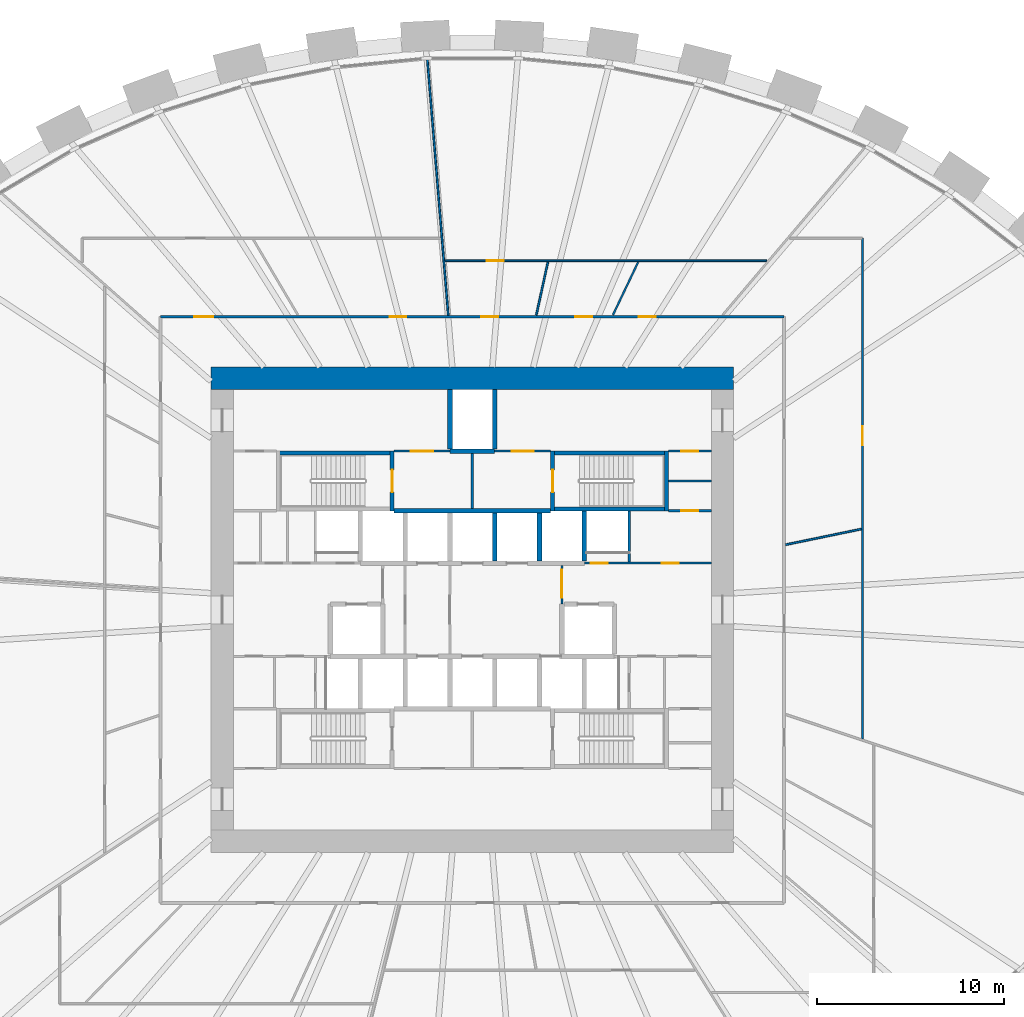
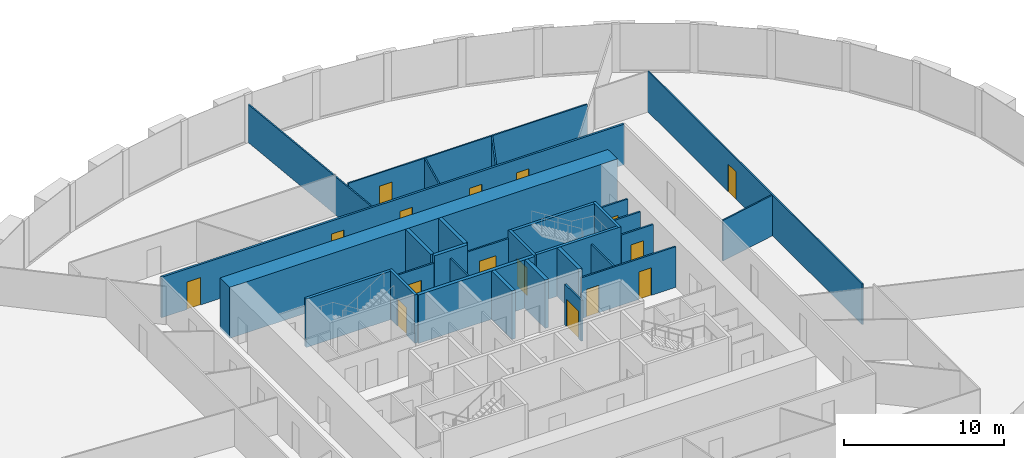
# One storey, part 9 of 11: 30 walls, 16 doors, 16 openings.
"""IFC4 building model written with IfcOpenShell, lengths in metres."""

from ifc_helpers import new_model, si_unit, direction, frame, frame_2d, origin, place, context, subcontext, project, spatial, rectangle, extrude, source, transform, mapped, material, layer, layer_set, type_object, element, fill, save


model = new_model("IFC4")

# Units and contexts
model_context = context("Model", 3, precision=1e-05, world=origin(), true_north=direction((0.0, 1.0)))
body_context = subcontext(model_context, "Body", "Model", "MODEL_VIEW")
ifc_project = project(units=[si_unit("LENGTHUNIT", "METRE"), si_unit("AREAUNIT", "SQUARE_METRE"), si_unit("VOLUMEUNIT", "CUBIC_METRE"), si_unit("PLANEANGLEUNIT", "RADIAN"), si_unit("MASSUNIT", "GRAM", prefix="KILO")], contexts=[model_context])

# Site, building, storey
site_placement = place(None, origin())
site = spatial("IfcSite", under=ifc_project, at=site_placement, CompositionType="ELEMENT")
building_placement = place(site_placement, origin())
building = spatial("IfcBuilding", under=site, at=building_placement, Name="Embergate Tower", CompositionType="ELEMENT")
storey_placement = place(building_placement, frame((0.0, 0.0, 41.89990234375)))
storey = spatial("IfcBuildingStorey", under=building, at=storey_placement, Name="L06", CompositionType="ELEMENT", Elevation=41.89990234375)

# Wall
ifc_material_1 = material(Name="Concrete C80", Category="concrete")
ifc_layer_1 = layer(ifc_material_1, 1.199951171875)
ifc_layer_set_1 = layer_set([ifc_layer_1], Name="Concrete C80")
wall_type_1 = type_object("IfcWallType", Name="Core outer wall C80 1200", PredefinedType="SHEAR", material=ifc_layer_set_1)
shared_shape_1 = source(origin(), body_context, "Body", "SweptSolid", [
    extrude(rectangle(XDim=28.0, YDim=1.199951171875, at=frame_2d((14.0, 0.0))), origin(), (0.0, 0.0, 1.0), 3.900146484375),
])
wall_1_placement = place(storey_placement, frame((-14.0, 12.39990234375, -0.199951171875), z_axis=(0.0, 0.0, 1.0), x_axis=(1.0, 0.0, 0.0)))
element("IfcWall", 1, at=wall_1_placement, inside=storey, type_object=wall_type_1, Name="CW-L06-N", PredefinedType="SHEAR", context=body_context, shape_type="MappedRepresentation", body=[
    mapped(shared_shape_1, transform((0.0, 0.0, 0.0))),
])

# Wall, openings, doors
ifc_material_2 = material(Name="Corridor wall dry-lined 150")
ifc_layer_2 = layer(ifc_material_2, 0.14990234375)
ifc_layer_set_2 = layer_set([ifc_layer_2], Name="Corridor wall dry-lined 150")
wall_type_2 = type_object("IfcWallType", Name="Corridor wall dry-lined 150", PredefinedType="PARTITIONING", material=ifc_layer_set_2)
shared_shape_2 = source(origin(), body_context, "Body", "SweptSolid", [
    extrude(rectangle(XDim=33.39990234375, YDim=0.14990234375, at=frame_2d((16.699951171875, 0.0))), origin(), (0.0, 0.0, 1.0), 3.10009765625),
])
wall_2_placement = place(storey_placement, frame((-16.699951171875, 15.699951171875, 0.0), z_axis=(0.0, 0.0, 1.0), x_axis=(1.0, 0.0, 0.0)))
wall_2 = element("IfcWall", 2, at=wall_2_placement, inside=storey, type_object=wall_type_2, Name="IP-2 wall", PredefinedType="PARTITIONING", context=body_context, shape_type="MappedRepresentation", body=[
    mapped(shared_shape_2, transform((0.0, 0.0, 0.0))),
])
shared_shape_3 = source(origin(), body_context, "Body", "SweptSolid", [
    extrude(rectangle(XDim=0.89990234375, YDim=2.10009765625, at=frame_2d((0.449951171875, 1.050048828125))), frame((0.0, 0.0849609375, 0.0), z_axis=(0.0, -1.0, 0.0), x_axis=(1.0, 0.0, 0.0)), (0.0, 0.0, 1.0), 0.169921875),
])
opening_1_placement = place(wall_2_placement, frame((25.616943359375, 0.0, 0.0)))
opening_1 = element("IfcOpeningElement", 3, at=opening_1_placement, cuts=wall_2, Name="Opening IF-1c", PredefinedType="OPENING", context=body_context, shape_type="MappedRepresentation", body=[
    mapped(shared_shape_3, transform((0.0, 0.0, 0.0))),
])
opening_2_placement = place(wall_2_placement, frame((22.214111328125, 0.0, 0.0)))
opening_2 = element("IfcOpeningElement", 4, at=opening_2_placement, cuts=wall_2, Name="Opening IF-1c", PredefinedType="OPENING", context=body_context, shape_type="MappedRepresentation", body=[
    mapped(shared_shape_3, transform((0.0, 0.0, 0.0))),
])
opening_3_placement = place(wall_2_placement, frame((17.18603515625, 0.0, 0.0)))
opening_3 = element("IfcOpeningElement", 5, at=opening_3_placement, cuts=wall_2, Name="Opening IF-1c", PredefinedType="OPENING", context=body_context, shape_type="MappedRepresentation", body=[
    mapped(shared_shape_3, transform((0.0, 0.0, 0.0))),
])
opening_4_placement = place(wall_2_placement, frame((12.26611328125, 0.0, 0.0)))
opening_4 = element("IfcOpeningElement", 6, at=opening_4_placement, cuts=wall_2, Name="Opening IF-1c", PredefinedType="OPENING", context=body_context, shape_type="MappedRepresentation", body=[
    mapped(shared_shape_3, transform((0.0, 0.0, 0.0))),
])
shared_shape_4 = source(origin(), body_context, "Body", "SweptSolid", [
    extrude(rectangle(XDim=1.0, YDim=2.10009765625, at=frame_2d((0.5, 1.050048828125))), frame((0.0, 0.0849609375, 0.0), z_axis=(0.0, -1.0, 0.0), x_axis=(1.0, 0.0, 0.0)), (0.0, 0.0, 1.0), 0.169921875),
])
opening_5_placement = place(wall_2_placement, frame((1.81103515625, 0.0, 0.0)))
opening_5 = element("IfcOpeningElement", 7, at=opening_5_placement, cuts=wall_2, Name="Opening ID-2", PredefinedType="OPENING", context=body_context, shape_type="MappedRepresentation", body=[
    mapped(shared_shape_4, transform((0.0, 0.0, 0.0))),
])
ifc_material_3 = material(Name="Escape fire door 900")
door_type_1 = type_object("IfcDoorType", Name="Escape fire door 900", OperationType="SINGLE_SWING_LEFT", PredefinedType="DOOR", material=ifc_material_3)
shared_shape_5 = source(origin(), body_context, "Body", "SweptSolid", [
    extrude(rectangle(XDim=0.89990234375, YDim=2.10009765625, at=frame_2d((0.449951171875, 1.050048828125))), frame((0.0, 0.02490234375, 0.0), z_axis=(0.0, -1.0, 0.0), x_axis=(1.0, 0.0, 0.0)), (0.0, 0.0, 1.0), 0.050048828125),
])
door_1_placement = place(opening_1_placement, origin())
door_1 = element("IfcDoor", 8, at=door_1_placement, inside=storey, type_object=door_type_1, Name="IF-1 door", OperationType="SINGLE_SWING_RIGHT", OverallHeight=2.10009765625, OverallWidth=0.89990234375, PredefinedType="DOOR", context=body_context, shape_type="MappedRepresentation", body=[
    mapped(shared_shape_5, transform((0.0, 0.0, 0.0))),
])
fill(opening_1, door_1)
door_2_placement = place(opening_2_placement, origin())
door_2 = element("IfcDoor", 9, at=door_2_placement, inside=storey, type_object=door_type_1, Name="IF-1 door", OperationType="SINGLE_SWING_RIGHT", OverallHeight=2.10009765625, OverallWidth=0.89990234375, PredefinedType="DOOR", context=body_context, shape_type="MappedRepresentation", body=[
    mapped(shared_shape_5, transform((0.0, 0.0, 0.0))),
])
fill(opening_2, door_2)
door_3_placement = place(opening_3_placement, origin())
door_3 = element("IfcDoor", 10, at=door_3_placement, inside=storey, type_object=door_type_1, Name="IF-1 door", OperationType="SINGLE_SWING_LEFT", OverallHeight=2.10009765625, OverallWidth=0.89990234375, PredefinedType="DOOR", context=body_context, shape_type="MappedRepresentation", body=[
    mapped(shared_shape_5, transform((0.0, 0.0, 0.0))),
])
fill(opening_3, door_3)
door_4_placement = place(opening_4_placement, origin())
door_4 = element("IfcDoor", 11, at=door_4_placement, inside=storey, type_object=door_type_1, Name="IF-1 door", OperationType="SINGLE_SWING_LEFT", OverallHeight=2.10009765625, OverallWidth=0.89990234375, PredefinedType="DOOR", context=body_context, shape_type="MappedRepresentation", body=[
    mapped(shared_shape_5, transform((0.0, 0.0, 0.0))),
])
fill(opening_4, door_4)
ifc_material_4 = material(Name="Interior door 1000")
door_type_2 = type_object("IfcDoorType", Name="Interior door 1000", OperationType="SINGLE_SWING_LEFT", PredefinedType="DOOR", material=ifc_material_4)
shared_shape_6 = source(origin(), body_context, "Body", "SweptSolid", [
    extrude(rectangle(XDim=1.0, YDim=2.10009765625, at=frame_2d((0.5, 1.050048828125))), frame((0.0, 0.02490234375, 0.0), z_axis=(0.0, -1.0, 0.0), x_axis=(1.0, 0.0, 0.0)), (0.0, 0.0, 1.0), 0.050048828125),
])
door_5_placement = place(opening_5_placement, origin())
door_5 = element("IfcDoor", 12, at=door_5_placement, inside=storey, type_object=door_type_2, Name="ID-2 door", OperationType="SINGLE_SWING_LEFT", OverallHeight=2.10009765625, OverallWidth=1.0, PredefinedType="DOOR", context=body_context, shape_type="MappedRepresentation", body=[
    mapped(shared_shape_6, transform((0.0, 0.0, 0.0))),
])
fill(opening_5, door_5)

# Wall
ifc_material_5 = material(Name="Partition dry-lined 100 wet")
ifc_layer_3 = layer(ifc_material_5, 0.10009765625)
ifc_layer_set_3 = layer_set([ifc_layer_3], Name="Partition dry-lined 100 wet")
wall_type_3 = type_object("IfcWallType", Name="Partition dry-lined 100 wet", PredefinedType="PLUMBINGWALL", material=ifc_layer_set_3)
shared_shape_7 = source(origin(), body_context, "Body", "SweptSolid", [
    extrude(rectangle(XDim=3.137451171875, YDim=0.10009765625, at=frame_2d((1.56884765625, 0.0))), origin(), (0.0, 0.0, 1.0), 3.10009765625),
])
wall_3_placement = place(storey_placement, frame((7.533935546875, 15.7958984375, 0.0), z_axis=(0.0, 0.0, 1.0), x_axis=(0.430326219074, 0.902673443266, 0.0)))
element("IfcWall", 13, at=wall_3_placement, inside=storey, type_object=wall_type_3, Name="IP-1 wall", PredefinedType="PLUMBINGWALL", context=body_context, shape_type="MappedRepresentation", body=[
    mapped(shared_shape_7, transform((0.0, 0.0, 0.0))),
])

# Wall, opening, door
shared_shape_8 = source(origin(), body_context, "Body", "SweptSolid", [
    extrude(rectangle(XDim=17.2470703125, YDim=0.10009765625, at=frame_2d((8.62353515625, 0.0))), origin(), (0.0, 0.0, 1.0), 3.10009765625),
])
wall_4_placement = place(storey_placement, frame((-1.47802734375, 18.699951171875, 0.0), z_axis=(0.0, 0.0, 1.0), x_axis=(1.0, 0.0, 0.0)))
wall_4 = element("IfcWall", 14, at=wall_4_placement, inside=storey, type_object=wall_type_3, Name="IP-1 wall", PredefinedType="PLUMBINGWALL", context=body_context, shape_type="MappedRepresentation", body=[
    mapped(shared_shape_8, transform((0.0, 0.0, 0.0))),
])
shared_shape_9 = source(origin(), body_context, "Body", "SweptSolid", [
    extrude(rectangle(XDim=0.89990234375, YDim=2.10009765625, at=frame_2d((0.449951171875, 1.050048828125))), frame((0.0, 0.06005859375, 0.0), z_axis=(0.0, -1.0, 0.0), x_axis=(1.0, 0.0, 0.0)), (0.0, 0.0, 1.0), 0.1201171875),
])
opening_6_placement = place(wall_4_placement, frame((2.25390625, 0.0, 0.0)))
opening_6 = element("IfcOpeningElement", 15, at=opening_6_placement, cuts=wall_4, Name="Opening ID-1", PredefinedType="OPENING", context=body_context, shape_type="MappedRepresentation", body=[
    mapped(shared_shape_9, transform((0.0, 0.0, 0.0))),
])
ifc_material_6 = material(Name="Interior door 900")
door_type_3 = type_object("IfcDoorType", Name="Interior door 900", OperationType="SINGLE_SWING_LEFT", PredefinedType="DOOR", material=ifc_material_6)
door_6_placement = place(opening_6_placement, origin())
door_6 = element("IfcDoor", 16, at=door_6_placement, inside=storey, type_object=door_type_3, Name="ID-1 door", OperationType="SINGLE_SWING_LEFT", OverallHeight=2.10009765625, OverallWidth=0.89990234375, PredefinedType="DOOR", context=body_context, shape_type="MappedRepresentation", body=[
    mapped(shared_shape_5, transform((0.0, 0.0, 0.0))),
])
fill(opening_6, door_6)

# Wall
shared_shape_10 = source(origin(), body_context, "Body", "SweptSolid", [
    extrude(rectangle(XDim=2.919677734375, YDim=0.10009765625, at=frame_2d((1.4599609375, 0.0))), origin(), (0.0, 0.0, 1.0), 3.10009765625),
])
wall_5_placement = place(storey_placement, frame((3.428955078125, 15.785888671875, 0.0), z_axis=(0.0, 0.0, 1.0), x_axis=(0.212394928292, 0.977183910242, 0.0)))
element("IfcWall", 17, at=wall_5_placement, inside=storey, type_object=wall_type_3, Name="IP-1 wall", PredefinedType="PLUMBINGWALL", context=body_context, shape_type="MappedRepresentation", body=[
    mapped(shared_shape_10, transform((0.0, 0.0, 0.0))),
])

# Wall, openings, doors
ifc_material_7 = material(Name="Core partition blockwork 120")
ifc_layer_4 = layer(ifc_material_7, 0.1201171875)
ifc_layer_set_4 = layer_set([ifc_layer_4], Name="Core partition blockwork 120")
wall_type_4 = type_object("IfcWallType", Name="Core partition blockwork 120", PredefinedType="PARTITIONING", material=ifc_layer_set_4)
shared_shape_11 = source(origin(), body_context, "Body", "SweptSolid", [
    extrude(rectangle(XDim=6.800048828125, YDim=0.1201171875, at=frame_2d((3.39990234375, 0.0))), origin(), (0.0, 0.0, 1.0), 3.10009765625),
])
wall_6_placement = place(storey_placement, frame((6.0, 2.5, 0.0), z_axis=(0.0, 0.0, 1.0), x_axis=(1.0, 0.0, 0.0)))
wall_6 = element("IfcWall", 18, at=wall_6_placement, inside=storey, type_object=wall_type_4, Name="IP-3 wall", PredefinedType="PARTITIONING", context=body_context, shape_type="MappedRepresentation", body=[
    mapped(shared_shape_11, transform((0.0, 0.0, 0.0))),
])
shared_shape_12 = source(origin(), body_context, "Body", "SweptSolid", [
    extrude(rectangle(XDim=0.89990234375, YDim=2.10009765625, at=frame_2d((0.449951171875, 1.050048828125))), frame((0.0, 0.070068359375, 0.0), z_axis=(0.0, -1.0, 0.0), x_axis=(1.0, 0.0, 0.0)), (0.0, 0.0, 1.0), 0.14013671875),
])
opening_7_placement = place(wall_6_placement, frame((0.35009765625, 0.0, 0.0)))
opening_7 = element("IfcOpeningElement", 19, at=opening_7_placement, cuts=wall_6, Name="Opening ID-1", PredefinedType="OPENING", context=body_context, shape_type="MappedRepresentation", body=[
    mapped(shared_shape_12, transform((0.0, 0.0, 0.0))),
])
opening_8_placement = place(wall_6_placement, frame((4.14990234375, 0.0, 0.0)))
opening_8 = element("IfcOpeningElement", 20, at=opening_8_placement, cuts=wall_6, Name="Opening ID-1", PredefinedType="OPENING", context=body_context, shape_type="MappedRepresentation", body=[
    mapped(shared_shape_12, transform((0.0, 0.0, 0.0))),
])
door_7_placement = place(opening_7_placement, origin())
door_7 = element("IfcDoor", 21, at=door_7_placement, inside=storey, type_object=door_type_3, Name="ID-1 door", OperationType="SINGLE_SWING_RIGHT", OverallHeight=2.10009765625, OverallWidth=0.89990234375, PredefinedType="DOOR", context=body_context, shape_type="MappedRepresentation", body=[
    mapped(shared_shape_5, transform((0.0, 0.0, 0.0))),
])
fill(opening_7, door_7)
door_8_placement = place(opening_8_placement, origin())
door_8 = element("IfcDoor", 22, at=door_8_placement, inside=storey, type_object=door_type_3, Name="ID-1 door", OperationType="SINGLE_SWING_LEFT", OverallHeight=2.10009765625, OverallWidth=0.89990234375, PredefinedType="DOOR", context=body_context, shape_type="MappedRepresentation", body=[
    mapped(shared_shape_5, transform((0.0, 0.0, 0.0))),
])
fill(opening_8, door_8)

# Wall
shared_shape_13 = source(origin(), body_context, "Body", "SweptSolid", [
    extrude(rectangle(XDim=2.739990234375, YDim=0.1201171875, at=frame_2d((1.3701171875, 0.0))), origin(), (0.0, 0.0, 1.0), 3.10009765625),
])
wall_7_placement = place(storey_placement, frame((8.39990234375, 2.56005859375, 0.0), z_axis=(0.0, 0.0, 1.0), x_axis=(0.0, 1.0, 0.0)))
element("IfcWall", 23, at=wall_7_placement, inside=storey, type_object=wall_type_4, Name="IP-3 wall", PredefinedType="PARTITIONING", context=body_context, shape_type="MappedRepresentation", body=[
    mapped(shared_shape_13, transform((0.0, 0.0, 0.0))),
])

# Wall, opening, door
shared_shape_14 = source(origin(), body_context, "Body", "SweptSolid", [
    extrude(rectangle(XDim=2.074951171875, YDim=0.1201171875, at=frame_2d((1.03759765625, 0.0))), origin(), (0.0, 0.0, 1.0), 3.10009765625),
])
wall_8_placement = place(storey_placement, frame((4.800048828125, 0.300048828125, 0.0), z_axis=(0.0, 0.0, 1.0), x_axis=(0.0, 1.0, 0.0)))
wall_8 = element("IfcWall", 24, at=wall_8_placement, inside=storey, type_object=wall_type_4, Name="IP-3 wall", PredefinedType="PARTITIONING", context=body_context, shape_type="MappedRepresentation", body=[
    mapped(shared_shape_14, transform((0.0, 0.0, 0.0))),
])
shared_shape_15 = source(origin(), body_context, "Body", "SweptSolid", [
    extrude(rectangle(XDim=1.5, YDim=2.10009765625, at=frame_2d((0.75, 1.050048828125))), frame((0.0, 0.070068359375, 0.0), z_axis=(0.0, -1.0, 0.0), x_axis=(1.0, 0.0, 0.0)), (0.0, 0.0, 1.0), 0.14013671875),
])
opening_9_placement = place(wall_8_placement, frame((0.35009765625, 0.0, 0.0)))
opening_9 = element("IfcOpeningElement", 25, at=opening_9_placement, cuts=wall_8, Name="Opening IF-3", PredefinedType="OPENING", context=body_context, shape_type="MappedRepresentation", body=[
    mapped(shared_shape_15, transform((0.0, 0.0, 0.0))),
])
ifc_material_8 = material(Name="Lobby fire door pair 1500")
door_type_4 = type_object("IfcDoorType", Name="Lobby fire door pair 1500", OperationType="DOUBLE_DOOR_SINGLE_SWING", PredefinedType="DOOR", material=ifc_material_8)
shared_shape_16 = source(origin(), body_context, "Body", "SweptSolid", [
    extrude(rectangle(XDim=1.5, YDim=2.10009765625, at=frame_2d((0.75, 1.050048828125))), frame((0.0, 0.02490234375, 0.0), z_axis=(0.0, -1.0, 0.0), x_axis=(1.0, 0.0, 0.0)), (0.0, 0.0, 1.0), 0.050048828125),
])
door_9_placement = place(opening_9_placement, origin())
door_9 = element("IfcDoor", 26, at=door_9_placement, inside=storey, type_object=door_type_4, Name="IF-3 door", OperationType="DOUBLE_DOOR_SINGLE_SWING", OverallHeight=2.10009765625, OverallWidth=1.5, PredefinedType="DOOR", context=body_context, shape_type="MappedRepresentation", body=[
    mapped(shared_shape_16, transform((0.0, 0.0, 0.0))),
])
fill(opening_9, door_9)

# Wall
shared_shape_17 = source(origin(), body_context, "Body", "SweptSolid", [
    extrude(rectangle(XDim=2.949951171875, YDim=0.1201171875, at=frame_2d((1.47509765625, 0.0))), origin(), (0.0, 0.0, 1.0), 3.10009765625),
])
wall_9_placement = place(storey_placement, frame((0.0, 5.425048828125, 0.0), z_axis=(0.0, 0.0, 1.0), x_axis=(0.0, 1.0, 0.0)))
element("IfcWall", 27, at=wall_9_placement, inside=storey, type_object=wall_type_4, Name="IP-3 wall", PredefinedType="PARTITIONING", context=body_context, shape_type="MappedRepresentation", body=[
    mapped(shared_shape_17, transform((0.0, 0.0, 0.0))),
])

# Wall, opening, door
shared_shape_18 = source(origin(), body_context, "Body", "SweptSolid", [
    extrude(rectangle(XDim=3.0, YDim=0.1201171875, at=frame_2d((1.5, 0.0))), origin(), (0.0, 0.0, 1.0), 3.10009765625),
])
wall_10_placement = place(storey_placement, frame((-1.199951171875, 8.5, 0.0), z_axis=(0.0, 0.0, 1.0), x_axis=(-1.0, 0.0, 0.0)))
wall_10 = element("IfcWall", 28, at=wall_10_placement, inside=storey, type_object=wall_type_4, Name="IP-3 wall", PredefinedType="PARTITIONING", context=body_context, shape_type="MappedRepresentation", body=[
    mapped(shared_shape_18, transform((0.0, 0.0, 0.0))),
])
shared_shape_19 = source(origin(), body_context, "Body", "SweptSolid", [
    extrude(rectangle(XDim=1.199951171875, YDim=2.10009765625, at=frame_2d((0.60009765625, 1.050048828125))), frame((0.0, 0.070068359375, 0.0), z_axis=(0.0, -1.0, 0.0), x_axis=(1.0, 0.0, 0.0)), (0.0, 0.0, 1.0), 0.14013671875),
])
opening_10_placement = place(wall_10_placement, frame((0.89990234375, 0.0, 0.0)))
opening_10 = element("IfcOpeningElement", 29, at=opening_10_placement, cuts=wall_10, Name="Opening IF-3f", PredefinedType="OPENING", context=body_context, shape_type="MappedRepresentation", body=[
    mapped(shared_shape_19, transform((0.0, 0.0, 0.0))),
])
ifc_material_9 = material(Name="Lobby fire door pair 1200")
door_type_5 = type_object("IfcDoorType", Name="Lobby fire door pair 1200", OperationType="DOUBLE_DOOR_SINGLE_SWING", PredefinedType="DOOR", material=ifc_material_9)
shared_shape_20 = source(origin(), body_context, "Body", "SweptSolid", [
    extrude(rectangle(XDim=1.199951171875, YDim=2.10009765625, at=frame_2d((0.60009765625, 1.050048828125))), frame((0.0, 0.02490234375, 0.0), z_axis=(0.0, -1.0, 0.0), x_axis=(1.0, 0.0, 0.0)), (0.0, 0.0, 1.0), 0.050048828125),
])
door_10_placement = place(opening_10_placement, origin())
door_10 = element("IfcDoor", 30, at=door_10_placement, inside=storey, type_object=door_type_5, Name="IF-3 door", OperationType="DOUBLE_DOOR_SINGLE_SWING", OverallHeight=2.10009765625, OverallWidth=1.199951171875, PredefinedType="DOOR", context=body_context, shape_type="MappedRepresentation", body=[
    mapped(shared_shape_20, transform((0.0, 0.0, 0.0))),
])
fill(opening_10, door_10)

wall_11_placement = place(storey_placement, frame((4.199951171875, 8.5, 0.0), z_axis=(0.0, 0.0, 1.0), x_axis=(-1.0, 0.0, 0.0)))
wall_11 = element("IfcWall", 31, at=wall_11_placement, inside=storey, type_object=wall_type_4, Name="IP-3 wall", PredefinedType="PARTITIONING", context=body_context, shape_type="MappedRepresentation", body=[
    mapped(shared_shape_18, transform((0.0, 0.0, 0.0))),
])
opening_11_placement = place(wall_11_placement, frame((0.89990234375, 0.0, 0.0)))
opening_11 = element("IfcOpeningElement", 32, at=opening_11_placement, cuts=wall_11, Name="Opening IF-3f", PredefinedType="OPENING", context=body_context, shape_type="MappedRepresentation", body=[
    mapped(shared_shape_19, transform((0.0, 0.0, 0.0))),
])
door_11_placement = place(opening_11_placement, origin())
door_11 = element("IfcDoor", 33, at=door_11_placement, inside=storey, type_object=door_type_5, Name="IF-3 door", OperationType="DOUBLE_DOOR_SINGLE_SWING", OverallHeight=2.10009765625, OverallWidth=1.199951171875, PredefinedType="DOOR", context=body_context, shape_type="MappedRepresentation", body=[
    mapped(shared_shape_20, transform((0.0, 0.0, 0.0))),
])
fill(opening_11, door_11)

shared_shape_21 = source(origin(), body_context, "Body", "SweptSolid", [
    extrude(rectangle(XDim=2.300048828125, YDim=0.1201171875, at=frame_2d((1.14990234375, 0.0))), origin(), (0.0, 0.0, 1.0), 3.10009765625),
])
wall_12_placement = place(storey_placement, frame((10.5, 8.5, 0.0), z_axis=(0.0, 0.0, 1.0), x_axis=(1.0, 0.0, 0.0)))
wall_12 = element("IfcWall", 34, at=wall_12_placement, inside=storey, type_object=wall_type_4, Name="IP-3 wall", PredefinedType="PARTITIONING", context=body_context, shape_type="MappedRepresentation", body=[
    mapped(shared_shape_21, transform((0.0, 0.0, 0.0))),
])
opening_12_placement = place(wall_12_placement, frame((0.699951171875, 0.0, 0.0)))
opening_12 = element("IfcOpeningElement", 35, at=opening_12_placement, cuts=wall_12, Name="Opening ID-1", PredefinedType="OPENING", context=body_context, shape_type="MappedRepresentation", body=[
    mapped(shared_shape_12, transform((0.0, 0.0, 0.0))),
])
door_12_placement = place(opening_12_placement, origin())
door_12 = element("IfcDoor", 36, at=door_12_placement, inside=storey, type_object=door_type_3, Name="ID-1 door", OperationType="SINGLE_SWING_RIGHT", OverallHeight=2.10009765625, OverallWidth=0.89990234375, PredefinedType="DOOR", context=body_context, shape_type="MappedRepresentation", body=[
    mapped(shared_shape_5, transform((0.0, 0.0, 0.0))),
])
fill(opening_12, door_12)

wall_13_placement = place(storey_placement, frame((12.800048828125, 5.300048828125, 0.0), z_axis=(0.0, 0.0, 1.0), x_axis=(-1.0, 0.0, 0.0)))
wall_13 = element("IfcWall", 37, at=wall_13_placement, inside=storey, type_object=wall_type_4, Name="IP-3 wall", PredefinedType="PARTITIONING", context=body_context, shape_type="MappedRepresentation", body=[
    mapped(shared_shape_21, transform((0.0, 0.0, 0.0))),
])
opening_13_placement = place(wall_13_placement, frame((0.699951171875, 0.0, 0.0)))
opening_13 = element("IfcOpeningElement", 38, at=opening_13_placement, cuts=wall_13, Name="Opening ID-1", PredefinedType="OPENING", context=body_context, shape_type="MappedRepresentation", body=[
    mapped(shared_shape_12, transform((0.0, 0.0, 0.0))),
])
door_13_placement = place(opening_13_placement, origin())
door_13 = element("IfcDoor", 39, at=door_13_placement, inside=storey, type_object=door_type_3, Name="ID-1 door", OperationType="SINGLE_SWING_LEFT", OverallHeight=2.10009765625, OverallWidth=0.89990234375, PredefinedType="DOOR", context=body_context, shape_type="MappedRepresentation", body=[
    mapped(shared_shape_5, transform((0.0, 0.0, 0.0))),
])
fill(opening_13, door_13)

# Walls
wall_14_placement = place(storey_placement, frame((12.800048828125, 6.89990234375, 0.0), z_axis=(0.0, 0.0, 1.0), x_axis=(-1.0, 0.0, 0.0)))
element("IfcWall", 40, at=wall_14_placement, inside=storey, type_object=wall_type_4, Name="IP-3 wall", PredefinedType="PARTITIONING", context=body_context, shape_type="MappedRepresentation", body=[
    mapped(shared_shape_21, transform((0.0, 0.0, 0.0))),
])
ifc_material_10 = material(Name="Partition dry-lined 100")
ifc_layer_5 = layer(ifc_material_10, 0.10009765625)
ifc_layer_set_5 = layer_set([ifc_layer_5], Name="Partition dry-lined 100")
wall_type_5 = type_object("IfcWallType", Name="Partition dry-lined 100", PredefinedType="PARTITIONING", material=ifc_layer_set_5)
shared_shape_22 = source(origin(), body_context, "Body", "SweptSolid", [
    extrude(rectangle(XDim=4.141357421875, YDim=0.10009765625, at=frame_2d((2.07080078125, 0.0))), origin(), (0.0, 0.0, 1.0), 3.10009765625),
])
wall_15_placement = place(storey_placement, frame((20.840087890625, 4.325927734375, 0.0), z_axis=(0.0, 0.0, 1.0), x_axis=(-0.979173213512, -0.203026643428, 0.0)))
element("IfcWall", 41, at=wall_15_placement, inside=storey, type_object=wall_type_5, Name="IP-1 wall", PredefinedType="PARTITIONING", context=body_context, shape_type="MappedRepresentation", body=[
    mapped(shared_shape_22, transform((0.0, 0.0, 0.0))),
])

# Wall, opening, door
shared_shape_23 = source(origin(), body_context, "Body", "SweptSolid", [
    extrude(rectangle(XDim=26.81396484375, YDim=0.10009765625, at=frame_2d((13.406982421875, 0.0))), origin(), (0.0, 0.0, 1.0), 3.10009765625),
])
wall_16_placement = place(storey_placement, frame((20.89990234375, -6.9140625, 0.0), z_axis=(0.0, 0.0, 1.0), x_axis=(0.0, 1.0, 0.0)))
wall_16 = element("IfcWall", 42, at=wall_16_placement, inside=storey, type_object=wall_type_5, Name="IP-1 wall", PredefinedType="PARTITIONING", context=body_context, shape_type="MappedRepresentation", body=[
    mapped(shared_shape_23, transform((0.0, 0.0, 0.0))),
])
shared_shape_24 = source(origin(), body_context, "Body", "SweptSolid", [
    extrude(rectangle(XDim=1.0, YDim=2.10009765625, at=frame_2d((0.5, 1.050048828125))), frame((0.0, 0.06005859375, 0.0), z_axis=(0.0, -1.0, 0.0), x_axis=(1.0, 0.0, 0.0)), (0.0, 0.0, 1.0), 0.1201171875),
])
opening_14_placement = place(wall_16_placement, frame((15.74072265625, 0.0, 0.0)))
opening_14 = element("IfcOpeningElement", 43, at=opening_14_placement, cuts=wall_16, Name="Opening ID-2", PredefinedType="OPENING", context=body_context, shape_type="MappedRepresentation", body=[
    mapped(shared_shape_24, transform((0.0, 0.0, 0.0))),
])
door_14_placement = place(opening_14_placement, origin())
door_14 = element("IfcDoor", 44, at=door_14_placement, inside=storey, type_object=door_type_2, Name="ID-2 door", OperationType="SINGLE_SWING_LEFT", OverallHeight=2.10009765625, OverallWidth=1.0, PredefinedType="DOOR", context=body_context, shape_type="MappedRepresentation", body=[
    mapped(shared_shape_6, transform((0.0, 0.0, 0.0))),
])
fill(opening_14, door_14)

# Walls
shared_shape_25 = source(origin(), body_context, "Body", "SweptSolid", [
    extrude(rectangle(XDim=13.803955078125, YDim=0.10009765625, at=frame_2d((6.90185546875, 0.0))), origin(), (0.0, 0.0, 1.0), 2.900146484375),
])
wall_17_placement = place(storey_placement, frame((-2.4130859375, 29.532958984375, 0.0), z_axis=(0.0, 0.0, 1.0), x_axis=(0.081427983702, -0.996679227972, 0.0)))
element("IfcWall", 45, at=wall_17_placement, inside=storey, type_object=wall_type_3, Name="IP-1 wall", PredefinedType="PLUMBINGWALL", context=body_context, shape_type="MappedRepresentation", body=[
    mapped(shared_shape_25, transform((0.0, 0.0, 0.0))),
])
ifc_material_11 = material(Name="Concrete C50", Category="concrete")
ifc_layer_6 = layer(ifc_material_11, 0.25)
ifc_layer_set_6 = layer_set([ifc_layer_6], Name="Concrete C50")
wall_type_6 = type_object("IfcWallType", Name="Hoistway wall reinforced concrete 250", PredefinedType="SHEAR", material=ifc_layer_set_6)
shared_shape_26 = source(origin(), body_context, "Body", "SweptSolid", [
    extrude(rectangle(XDim=2.675048828125, YDim=0.25, at=frame_2d((1.33740234375, 0.0))), origin(), (0.0, 0.0, 1.0), 3.7001953125),
])
wall_18_placement = place(storey_placement, frame((6.0, 2.625, 0.0), z_axis=(0.0, 0.0, 1.0), x_axis=(0.0, 1.0, 0.0)))
element("IfcWall", 46, at=wall_18_placement, inside=storey, type_object=wall_type_6, Name="HW-1 wall", PredefinedType="SHEAR", context=body_context, shape_type="MappedRepresentation", body=[
    mapped(shared_shape_26, transform((0.0, 0.0, 0.0))),
])
ifc_layer_7 = layer(ifc_material_11, 0.199951171875)
ifc_layer_set_7 = layer_set([ifc_layer_7], Name="Concrete C50")
wall_type_7 = type_object("IfcWallType", Name="Stair enclosure wall reinforced concrete 250", PredefinedType="SHEAR", material=ifc_layer_set_7)
shared_shape_27 = source(origin(), body_context, "Body", "SweptSolid", [
    extrude(rectangle(XDim=6.300048828125, YDim=0.199951171875, at=frame_2d((3.14990234375, 0.0))), origin(), (0.0, 0.0, 1.0), 3.7001953125),
])
for number, where, z_axis, x_axis, name in (
    (47, (10.5, 5.39990234375, 0.0), (0.0, 0.0, 1.0), (-1.0, 0.0, 0.0), "SE-1 wall"),
    (48, (-4.199951171875, 8.39990234375, 0.0), (0.0, 0.0, 1.0), (-1.0, 0.0, 0.0), "SE-1 wall"),
    (49, (10.5, 8.39990234375, 0.0), (0.0, 0.0, 1.0), (-1.0, 0.0, 0.0), "SE-1 wall"),
):
    element("IfcWall", number, at=place(storey_placement, frame(where, z_axis=z_axis, x_axis=x_axis)), inside=storey, type_object=wall_type_7, Name=name, PredefinedType="SHEAR", context=body_context, shape_type="MappedRepresentation", body=[
        mapped(shared_shape_27, transform((0.0, 0.0, 0.0))),
    ])
shared_shape_28 = source(origin(), body_context, "Body", "SweptSolid", [
    extrude(rectangle(XDim=2.550048828125, YDim=0.25, at=frame_2d((1.27490234375, 0.0))), origin(), (0.0, 0.0, 1.0), 3.7001953125),
])
for number, where, z_axis, x_axis, name in (
    (50, (1.199951171875, 2.625, 0.0), (0.0, 0.0, 1.0), (0.0, 1.0, 0.0), "HW-1 wall"),
    (51, (3.60009765625, 2.625, 0.0), (0.0, 0.0, 1.0), (0.0, 1.0, 0.0), "HW-1 wall"),
):
    element("IfcWall", number, at=place(storey_placement, frame(where, z_axis=z_axis, x_axis=x_axis)), inside=storey, type_object=wall_type_6, Name=name, PredefinedType="SHEAR", context=body_context, shape_type="MappedRepresentation", body=[
        mapped(shared_shape_28, transform((0.0, 0.0, 0.0))),
    ])
shared_shape_29 = source(origin(), body_context, "Body", "SweptSolid", [
    extrude(rectangle(XDim=8.39990234375, YDim=0.25, at=frame_2d((4.199951171875, 0.0))), origin(), (0.0, 0.0, 1.0), 3.7001953125),
])
wall_19_placement = place(storey_placement, frame((4.199951171875, 5.300048828125, 0.0), z_axis=(0.0, 0.0, 1.0), x_axis=(-1.0, 0.0, 0.0)))
element("IfcWall", 52, at=wall_19_placement, inside=storey, type_object=wall_type_6, Name="HW-1 wall", PredefinedType="SHEAR", context=body_context, shape_type="MappedRepresentation", body=[
    mapped(shared_shape_29, transform((0.0, 0.0, 0.0))),
])

# Wall, opening, door
shared_shape_30 = source(origin(), body_context, "Body", "SweptSolid", [
    extrude(rectangle(XDim=3.199951171875, YDim=0.199951171875, at=frame_2d((1.60009765625, 0.0))), origin(), (0.0, 0.0, 1.0), 3.7001953125),
])
wall_20_placement = place(storey_placement, frame((-4.300048828125, 5.300048828125, 0.0), z_axis=(0.0, 0.0, 1.0), x_axis=(0.0, 1.0, 0.0)))
wall_20 = element("IfcWall", 53, at=wall_20_placement, inside=storey, type_object=wall_type_7, Name="SE-1 wall", PredefinedType="SHEAR", context=body_context, shape_type="MappedRepresentation", body=[
    mapped(shared_shape_30, transform((0.0, 0.0, 0.0))),
])
shared_shape_31 = source(origin(), body_context, "Body", "SweptSolid", [
    extrude(rectangle(XDim=1.199951171875, YDim=2.10009765625, at=frame_2d((0.60009765625, 1.050048828125))), frame((0.0, 0.10986328125, 0.0), z_axis=(0.0, -1.0, 0.0), x_axis=(1.0, 0.0, 0.0)), (0.0, 0.0, 1.0), 0.219970703125),
])
opening_15_placement = place(wall_20_placement, frame((1.0, 0.0, 0.0)))
opening_15 = element("IfcOpeningElement", 54, at=opening_15_placement, cuts=wall_20, Name="Opening IF-2", PredefinedType="OPENING", context=body_context, shape_type="MappedRepresentation", body=[
    mapped(shared_shape_31, transform((0.0, 0.0, 0.0))),
])
ifc_material_12 = material(Name="Stair enclosure door 1200")
door_type_6 = type_object("IfcDoorType", Name="Stair enclosure door 1200", OperationType="SINGLE_SWING_LEFT", PredefinedType="DOOR", material=ifc_material_12)
door_15_placement = place(opening_15_placement, origin())
door_15 = element("IfcDoor", 55, at=door_15_placement, inside=storey, type_object=door_type_6, Name="IF-2 door", OperationType="SINGLE_SWING_LEFT", OverallHeight=2.10009765625, OverallWidth=1.199951171875, PredefinedType="DOOR", context=body_context, shape_type="MappedRepresentation", body=[
    mapped(shared_shape_20, transform((0.0, 0.0, 0.0))),
])
fill(opening_15, door_15)

wall_21_placement = place(storey_placement, frame((4.300048828125, 8.5, 0.0), z_axis=(0.0, 0.0, 1.0), x_axis=(0.0, -1.0, 0.0)))
wall_21 = element("IfcWall", 56, at=wall_21_placement, inside=storey, type_object=wall_type_7, Name="SE-1 wall", PredefinedType="SHEAR", context=body_context, shape_type="MappedRepresentation", body=[
    mapped(shared_shape_30, transform((0.0, 0.0, 0.0))),
])
opening_16_placement = place(wall_21_placement, frame((1.0, 0.0, 0.0)))
opening_16 = element("IfcOpeningElement", 57, at=opening_16_placement, cuts=wall_21, Name="Opening IF-2", PredefinedType="OPENING", context=body_context, shape_type="MappedRepresentation", body=[
    mapped(shared_shape_31, transform((0.0, 0.0, 0.0))),
])
door_16_placement = place(opening_16_placement, origin())
door_16 = element("IfcDoor", 58, at=door_16_placement, inside=storey, type_object=door_type_6, Name="IF-2 door", OperationType="SINGLE_SWING_LEFT", OverallHeight=2.10009765625, OverallWidth=1.199951171875, PredefinedType="DOOR", context=body_context, shape_type="MappedRepresentation", body=[
    mapped(shared_shape_20, transform((0.0, 0.0, 0.0))),
])
fill(opening_16, door_16)

# Walls
wall_22_placement = place(storey_placement, frame((10.39990234375, 5.300048828125, 0.0), z_axis=(0.0, 0.0, 1.0), x_axis=(0.0, 1.0, 0.0)))
element("IfcWall", 59, at=wall_22_placement, inside=storey, type_object=wall_type_7, Name="SE-1 wall", PredefinedType="SHEAR", context=body_context, shape_type="MappedRepresentation", body=[
    mapped(shared_shape_30, transform((0.0, 0.0, 0.0))),
])
shared_shape_32 = source(origin(), body_context, "Body", "SweptSolid", [
    extrude(rectangle(XDim=2.39990234375, YDim=0.25, at=frame_2d((1.199951171875, 0.0))), origin(), (0.0, 0.0, 1.0), 3.7001953125),
])
wall_23_placement = place(storey_placement, frame((1.199951171875, 8.5, 0.0), z_axis=(0.0, 0.0, 1.0), x_axis=(-1.0, 0.0, 0.0)))
element("IfcWall", 60, at=wall_23_placement, inside=storey, type_object=wall_type_6, Name="HW-1 wall", PredefinedType="SHEAR", context=body_context, shape_type="MappedRepresentation", body=[
    mapped(shared_shape_32, transform((0.0, 0.0, 0.0))),
])
shared_shape_33 = source(origin(), body_context, "Body", "SweptSolid", [
    extrude(rectangle(XDim=3.175048828125, YDim=0.25, at=frame_2d((1.58740234375, 0.0))), origin(), (0.0, 0.0, 1.0), 3.7001953125),
])
for number, where, z_axis, x_axis, name in (
    (61, (-1.199951171875, 8.625, 0.0), (0.0, 0.0, 1.0), (0.0, 1.0, 0.0), "HW-1 wall"),
    (62, (1.199951171875, 11.800048828125, 0.0), (0.0, 0.0, 1.0), (0.0, -1.0, 0.0), "HW-1 wall"),
):
    element("IfcWall", number, at=place(storey_placement, frame(where, z_axis=z_axis, x_axis=x_axis)), inside=storey, type_object=wall_type_6, Name=name, PredefinedType="SHEAR", context=body_context, shape_type="MappedRepresentation", body=[
        mapped(shared_shape_33, transform((0.0, 0.0, 0.0))),
    ])

save(model, "model.ifc")
